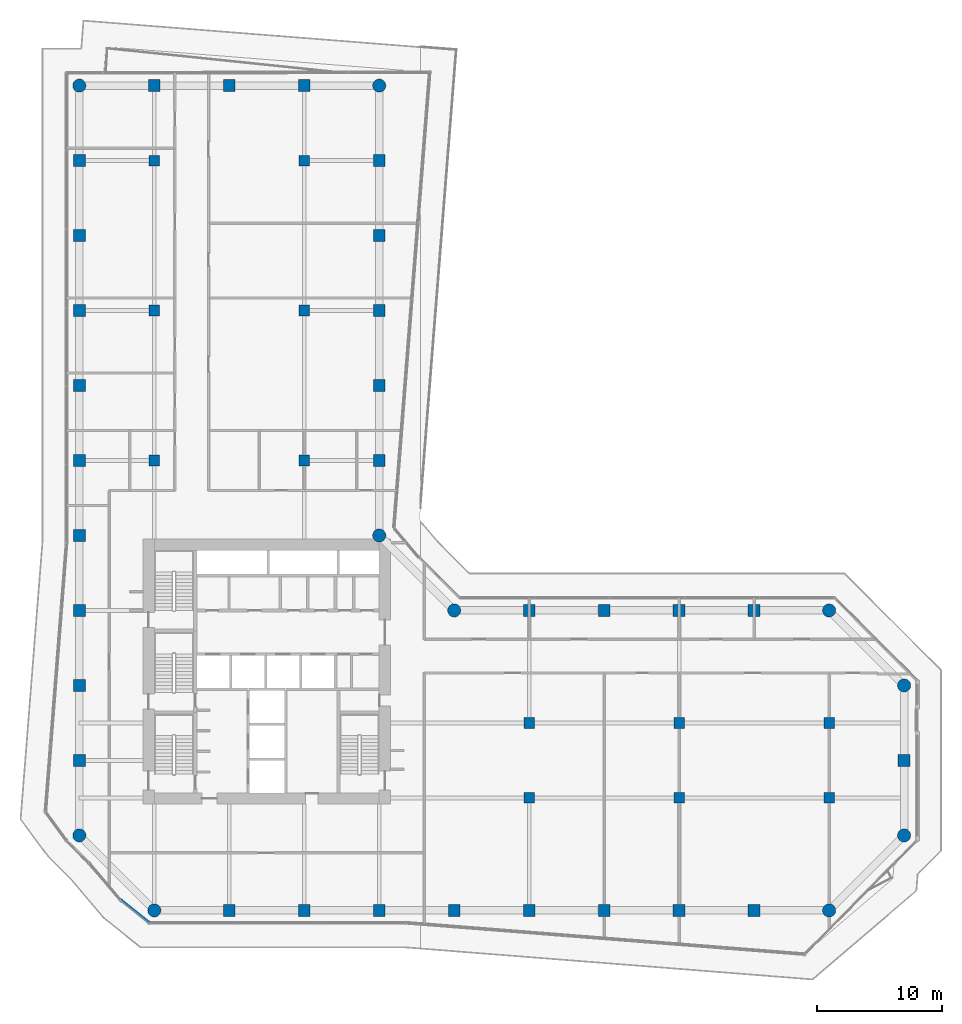
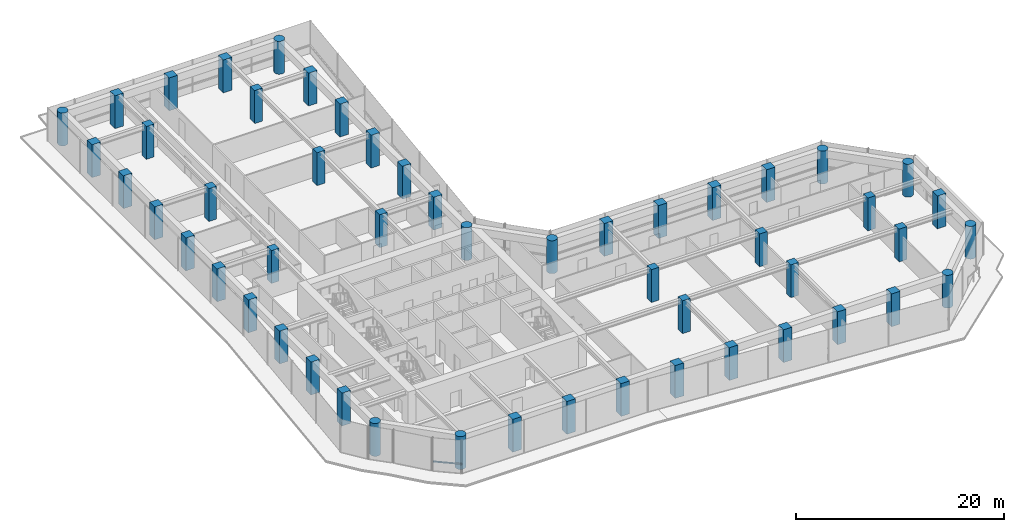
# One storey, part 1 of 29: 52 columns, 1 member, 1 element without a shape of its own.
"""IFC4 building model written with IfcOpenShell, lengths in metres."""

from ifc_helpers import new_model, si_unit, direction, frame, origin, origin_2d, place, context, subcontext, project, spatial, rectangle, circle, extrude, material, layer, layer_set, material_profile, profile_set, type_object, element, aggregate, save


model = new_model("IFC4")

# Units and contexts
model_context = context("Model", 3, precision=1e-05, world=origin(), true_north=direction((0.0, 1.0)))
body_context = subcontext(model_context, "Body", "Model", "MODEL_VIEW")
ifc_project = project(units=[si_unit("LENGTHUNIT", "METRE"), si_unit("AREAUNIT", "SQUARE_METRE"), si_unit("VOLUMEUNIT", "CUBIC_METRE"), si_unit("PLANEANGLEUNIT", "RADIAN"), si_unit("MASSUNIT", "GRAM", prefix="KILO")], contexts=[model_context])

# Site, building, storey
site_placement = place(None, origin())
site = spatial("IfcSite", under=ifc_project, at=site_placement, CompositionType="ELEMENT")
building_placement = place(site_placement, origin())
building = spatial("IfcBuilding", under=site, at=building_placement, Name="Welwitschia Terrace Campus", CompositionType="ELEMENT")
storey_placement = place(building_placement, frame((0.0, 0.0, 33.199951171875)))
storey = spatial("IfcBuildingStorey", under=building, at=storey_placement, Name="L07", CompositionType="ELEMENT", Elevation=33.199951171875)

# Columns
ifc_material_1 = material(Name="Concrete C60/75", Category="concrete")
ifc_material_profile_1 = material_profile(ifc_material_1, circle(Radius=0.52490234375, at=origin_2d()))
ifc_profile_set_1 = profile_set([ifc_material_profile_1], Name="Concrete C60/75")
column_type_1 = type_object("IfcColumnType", Name="Corner column 1050 dia", PredefinedType="COLUMN", material=ifc_profile_set_1)
for number, where, z_axis, x_axis, name in (
    (1, (0.0, 2.0, 0.0), (0.0, 0.0, 1.0), (1.0, 0.0, 0.0), "Column C5"),
    (2, (0.0, 62.0, 0.0), (0.0, 0.0, 1.0), (1.0, 0.0, 0.0), "Column C5"),
    (3, (6.0, -4.0, 0.0), (0.0, 0.0, 1.0), (1.0, 0.0, 0.0), "Column C5"),
    (4, (24.0, 26.0, 0.0), (0.0, 0.0, 1.0), (1.0, 0.0, 0.0), "Column C5"),
    (5, (24.0, 62.0, 0.0), (0.0, 0.0, 1.0), (1.0, 0.0, 0.0), "Column C5"),
    (6, (30.0, 20.0, 0.0), (0.0, 0.0, 1.0), (1.0, 0.0, 0.0), "Column C5"),
    (7, (60.0, -4.0, 0.0), (0.0, 0.0, 1.0), (1.0, 0.0, 0.0), "Column C5"),
    (8, (60.0, 20.0, 0.0), (0.0, 0.0, 1.0), (1.0, 0.0, 0.0), "Column C5"),
    (9, (66.0, 2.0, 0.0), (0.0, 0.0, 1.0), (1.0, 0.0, 0.0), "Column C5"),
    (10, (66.0, 14.0, 0.0), (0.0, 0.0, 1.0), (1.0, 0.0, 0.0), "Column C5"),
):
    element("IfcColumn", number, at=place(storey_placement, frame(where, z_axis=z_axis, x_axis=x_axis)), inside=storey, type_object=column_type_1, Name=name, PredefinedType="COLUMN", context=body_context, shape_type="SweptSolid", body=[
        extrude(circle(Radius=0.52490234375, at=origin_2d()), origin(), (0.0, 0.0, 1.0), 3.85009765625),
    ])
ifc_material_2 = material(Name="Concrete C60/75", Category="concrete")
ifc_material_profile_2 = material_profile(ifc_material_2, rectangle(XDim=0.85009765625, YDim=0.85009765625, at=origin_2d()))
ifc_profile_set_2 = profile_set([ifc_material_profile_2], Name="Concrete C60/75")
column_type_2 = type_object("IfcColumnType", Name="Interior column 850x850", PredefinedType="COLUMN", material=ifc_profile_set_2)
for number, where, z_axis, x_axis, name in (
    (11, (6.0, 32.0, 0.0), (0.0, 0.0, 1.0), (1.0, 0.0, 0.0), "Column C7"),
    (12, (6.0, 44.0, 0.0), (0.0, 0.0, 1.0), (1.0, 0.0, 0.0), "Column C7"),
    (13, (6.0, 56.0, 0.0), (0.0, 0.0, 1.0), (1.0, 0.0, 0.0), "Column C7"),
    (14, (18.0, 32.0, 0.0), (0.0, 0.0, 1.0), (1.0, 0.0, 0.0), "Column C7"),
    (15, (18.0, 44.0, 0.0), (0.0, 0.0, 1.0), (1.0, 0.0, 0.0), "Column C7"),
    (16, (18.0, 56.0, 0.0), (0.0, 0.0, 1.0), (1.0, 0.0, 0.0), "Column C7"),
    (17, (36.0, 5.0, 0.0), (0.0, 0.0, 1.0), (1.0, 0.0, 0.0), "Column C7"),
    (18, (36.0, 11.0, 0.0), (0.0, 0.0, 1.0), (1.0, 0.0, 0.0), "Column C7"),
    (19, (48.0, 5.0, 0.0), (0.0, 0.0, 1.0), (1.0, 0.0, 0.0), "Column C7"),
    (20, (48.0, 11.0, 0.0), (0.0, 0.0, 1.0), (1.0, 0.0, 0.0), "Column C7"),
    (21, (60.0, 5.0, 0.0), (0.0, 0.0, 1.0), (1.0, 0.0, 0.0), "Column C7"),
    (22, (60.0, 11.0, 0.0), (0.0, 0.0, 1.0), (1.0, 0.0, 0.0), "Column C7"),
):
    element("IfcColumn", number, at=place(storey_placement, frame(where, z_axis=z_axis, x_axis=x_axis)), inside=storey, type_object=column_type_2, Name=name, PredefinedType="COLUMN", context=body_context, shape_type="SweptSolid", body=[
        extrude(rectangle(XDim=0.85009765625, YDim=0.85009765625, at=origin_2d()), origin(), (0.0, 0.0, 1.0), 3.85009765625),
    ])
ifc_material_3 = material(Name="Concrete C60/75", Category="concrete")
ifc_material_profile_3 = material_profile(ifc_material_3, rectangle(XDim=0.949951171875, YDim=0.949951171875, at=origin_2d()))
ifc_profile_set_3 = profile_set([ifc_material_profile_3], Name="Concrete C60/75")
column_type_3 = type_object("IfcColumnType", Name="Ring column 950x950", PredefinedType="COLUMN", material=ifc_profile_set_3)
for number, where, z_axis, x_axis, name in (
    (23, (0.0, 8.0, 0.0), (0.0, 0.0, 1.0), (1.0, 0.0, 0.0), "Column C6"),
    (24, (0.0, 14.0, 0.0), (0.0, 0.0, 1.0), (1.0, 0.0, 0.0), "Column C6"),
    (25, (0.0, 20.0, 0.0), (0.0, 0.0, 1.0), (1.0, 0.0, 0.0), "Column C6"),
    (26, (0.0, 26.0, 0.0), (0.0, 0.0, 1.0), (1.0, 0.0, 0.0), "Column C6"),
    (27, (0.0, 32.0, 0.0), (0.0, 0.0, 1.0), (1.0, 0.0, 0.0), "Column C6"),
    (28, (0.0, 38.0, 0.0), (0.0, 0.0, 1.0), (1.0, 0.0, 0.0), "Column C6"),
    (29, (0.0, 44.0, 0.0), (0.0, 0.0, 1.0), (1.0, 0.0, 0.0), "Column C6"),
    (30, (0.0, 50.0, 0.0), (0.0, 0.0, 1.0), (1.0, 0.0, 0.0), "Column C6"),
    (31, (0.0, 56.0, 0.0), (0.0, 0.0, 1.0), (1.0, 0.0, 0.0), "Column C6"),
    (32, (6.0, 62.0, 0.0), (0.0, 0.0, 1.0), (1.0, 0.0, 0.0), "Column C6"),
    (33, (12.0, -4.0, 0.0), (0.0, 0.0, 1.0), (1.0, 0.0, 0.0), "Column C6"),
    (34, (12.0, 62.0, 0.0), (0.0, 0.0, 1.0), (1.0, 0.0, 0.0), "Column C6"),
    (35, (18.0, -4.0, 0.0), (0.0, 0.0, 1.0), (1.0, 0.0, 0.0), "Column C6"),
    (36, (18.0, 62.0, 0.0), (0.0, 0.0, 1.0), (1.0, 0.0, 0.0), "Column C6"),
    (37, (24.0, -4.0, 0.0), (0.0, 0.0, 1.0), (1.0, 0.0, 0.0), "Column C6"),
    (38, (24.0, 32.0, 0.0), (0.0, 0.0, 1.0), (1.0, 0.0, 0.0), "Column C6"),
    (39, (24.0, 38.0, 0.0), (0.0, 0.0, 1.0), (1.0, 0.0, 0.0), "Column C6"),
    (40, (24.0, 44.0, 0.0), (0.0, 0.0, 1.0), (1.0, 0.0, 0.0), "Column C6"),
    (41, (24.0, 50.0, 0.0), (0.0, 0.0, 1.0), (1.0, 0.0, 0.0), "Column C6"),
    (42, (24.0, 56.0, 0.0), (0.0, 0.0, 1.0), (1.0, 0.0, 0.0), "Column C6"),
    (43, (30.0, -4.0, 0.0), (0.0, 0.0, 1.0), (1.0, 0.0, 0.0), "Column C6"),
    (44, (36.0, -4.0, 0.0), (0.0, 0.0, 1.0), (1.0, 0.0, 0.0), "Column C6"),
    (45, (36.0, 20.0, 0.0), (0.0, 0.0, 1.0), (1.0, 0.0, 0.0), "Column C6"),
    (46, (42.0, -4.0, 0.0), (0.0, 0.0, 1.0), (1.0, 0.0, 0.0), "Column C6"),
    (47, (42.0, 20.0, 0.0), (0.0, 0.0, 1.0), (1.0, 0.0, 0.0), "Column C6"),
    (48, (48.0, -4.0, 0.0), (0.0, 0.0, 1.0), (1.0, 0.0, 0.0), "Column C6"),
    (49, (48.0, 20.0, 0.0), (0.0, 0.0, 1.0), (1.0, 0.0, 0.0), "Column C6"),
    (50, (54.0, -4.0, 0.0), (0.0, 0.0, 1.0), (1.0, 0.0, 0.0), "Column C6"),
    (51, (54.0, 20.0, 0.0), (0.0, 0.0, 1.0), (1.0, 0.0, 0.0), "Column C6"),
    (52, (66.0, 8.0, 0.0), (0.0, 0.0, 1.0), (1.0, 0.0, 0.0), "Column C6"),
):
    element("IfcColumn", number, at=place(storey_placement, frame(where, z_axis=z_axis, x_axis=x_axis)), inside=storey, type_object=column_type_3, Name=name, PredefinedType="COLUMN", context=body_context, shape_type="SweptSolid", body=[
        extrude(rectangle(XDim=0.949951171875, YDim=0.949951171875, at=origin_2d()), origin(), (0.0, 0.0, 1.0), 3.85009765625),
    ])

# Curtain wall, member
ifc_material_4 = material(Name="Bronze anodised aluminium", Category="aluminium")
ifc_layer = layer(ifc_material_4, 0.1201171875)
ifc_layer_set = layer_set([ifc_layer], Name="Bronze anodised aluminium")
curtain_wall_type = type_object("IfcCurtainWallType", Name="Curtain wall CW2 tower 6000", PredefinedType="NOTDEFINED", material=ifc_layer_set)
curtain_wall_placement = place(storey_placement, origin())
curtain_wall = element("IfcCurtainWall", 53, at=curtain_wall_placement, inside=storey, type_object=curtain_wall_type, Name="CW L07.4.0", PredefinedType="NOTDEFINED")
ifc_material_5 = material(Name="Bronze anodised aluminium", Category="aluminium")
ifc_material_profile_4 = material_profile(ifc_material_5, rectangle(XDim=0.06005859375, YDim=0.14990234375, at=origin_2d()))
ifc_profile_set_4 = profile_set([ifc_material_profile_4], Name="Bronze anodised aluminium")
member_type = type_object("IfcMemberType", Name="Transom 60x150", PredefinedType="USERDEFINED", material=ifc_profile_set_4)
member_placement = place(storey_placement, frame((3.41748046875, -3.2177734375, 1.0), z_axis=(0.779731225159, -0.626114379736, 0.0), x_axis=(0.626114379736, 0.779731225159, 0.0)))
member = element("IfcMember", 54, at=member_placement, type_object=member_type, Name="Transom L07.4.0", ObjectType="TRANSOM", PredefinedType="USERDEFINED", context=body_context, shape_type="SweptSolid", body=[
    extrude(rectangle(XDim=0.06005859375, YDim=0.14990234375, at=origin_2d()), origin(), (0.0, 0.0, 1.0), 2.766845703125),
])
aggregate(curtain_wall, [member])

save(model, "model.ifc")
